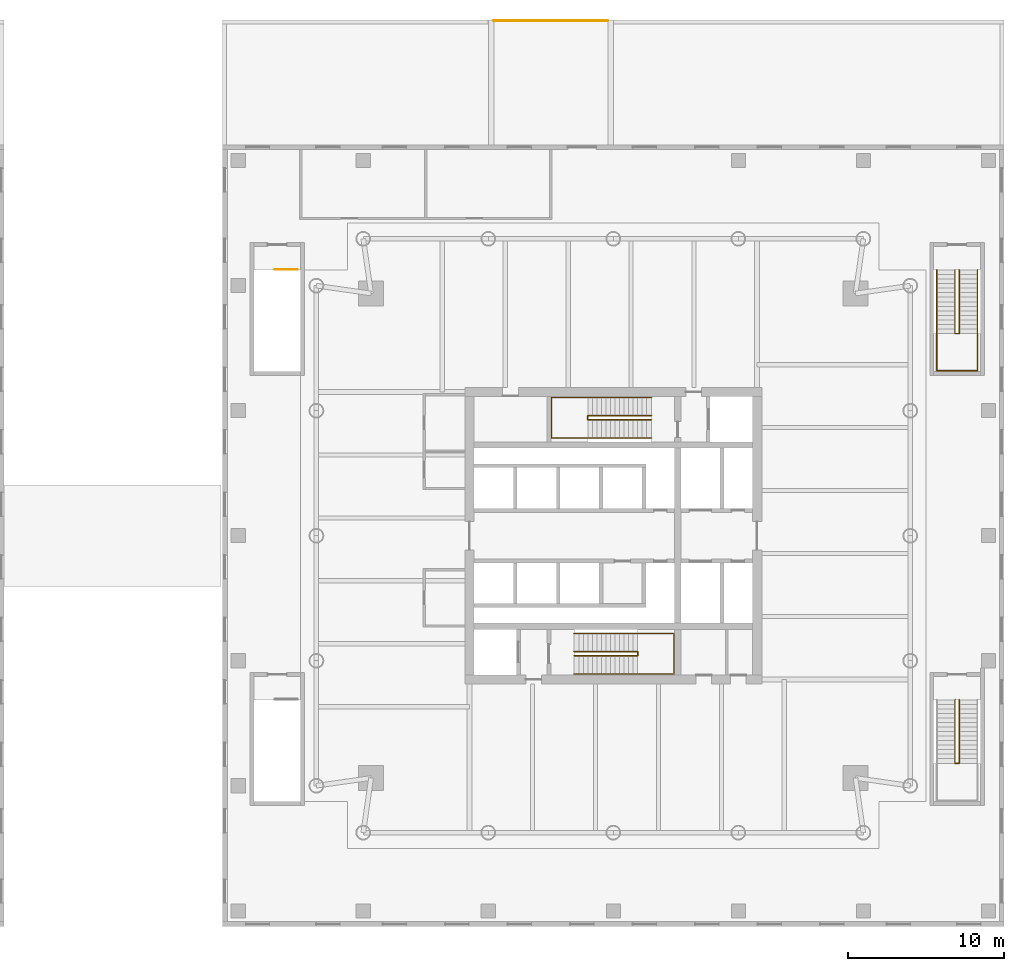
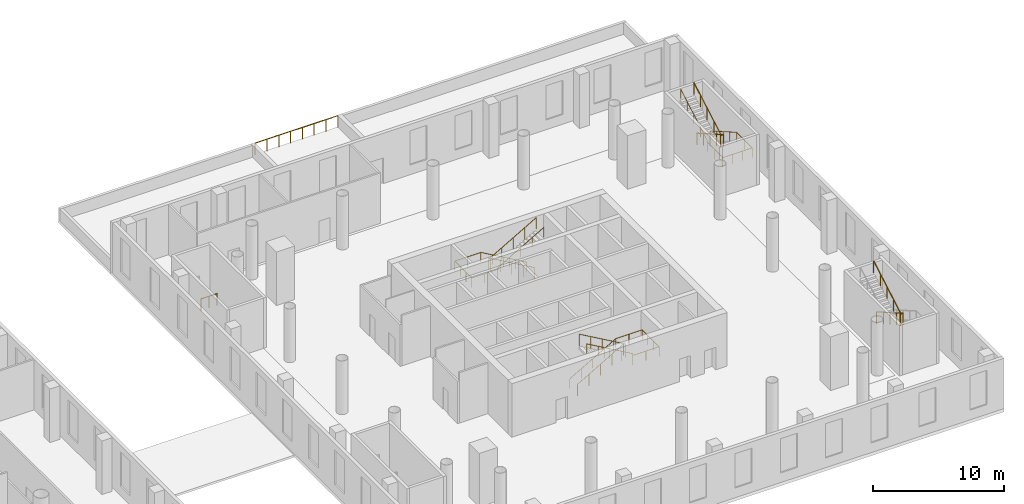
# One storey, part 16 of 16: 9 railings.
"""IFC4 building model written with IfcOpenShell, lengths in metres."""

from ifc_helpers import new_model, si_unit, direction, frame, origin, origin_2d, place, context, subcontext, project, spatial, circle, extrude, material, type_object, element, save


model = new_model("IFC4")

# Units and contexts
model_context = context("Model", 3, precision=1e-05, world=origin(), true_north=direction((0.0, 1.0)))
body_context = subcontext(model_context, "Body", "Model", "MODEL_VIEW")
ifc_project = project(units=[si_unit("LENGTHUNIT", "METRE"), si_unit("AREAUNIT", "SQUARE_METRE"), si_unit("VOLUMEUNIT", "CUBIC_METRE"), si_unit("PLANEANGLEUNIT", "RADIAN"), si_unit("MASSUNIT", "GRAM", prefix="KILO")], contexts=[model_context])

# Site, building, storey
site_placement = place(None, origin())
site = spatial("IfcSite", under=ifc_project, at=site_placement, CompositionType="ELEMENT")
building_placement = place(site_placement, origin())
building = spatial("IfcBuilding", under=site, at=building_placement, Name="Ostroluk Exchange", CompositionType="ELEMENT")
storey_placement = place(building_placement, frame((0.0, 0.0, 16.0)))
storey = spatial("IfcBuildingStorey", under=building, at=storey_placement, Name="L03", CompositionType="ELEMENT", Elevation=16.0)

# Railings
ifc_material_1 = material(Name="Stainless steel", Category="steel")
railing_type_1 = type_object("IfcRailingType", Name="Guard 1100 stainless steel", PredefinedType="GUARDRAIL", material=ifc_material_1)
railing_1_placement = place(storey_placement, frame((109.35205078125, 78.949951171875, 0.0)))
element("IfcRailing", 1, at=railing_1_placement, inside=storey, type_object=railing_type_1, Name="Terrace guard L03 1.1", PredefinedType="GUARDRAIL", context=body_context, shape_type="SweptSolid", body=[
    extrude(circle(Radius=0.02392578125, at=origin_2d()), frame((0.0, 0.0, 1.076171875), z_axis=(1.0, 0.0, 0.0), x_axis=(0.0, 1.0, 0.0)), (0.0, 0.0, 1.0), 7.2958984375),
    extrude(circle(Radius=0.02099609375, at=origin_2d()), origin(), (0.0, 0.0, 1.0), 1.052001953125),
    extrude(circle(Radius=0.02099609375, at=origin_2d()), frame((1.042236328125, 0.0, 0.0)), (0.0, 0.0, 1.0), 1.052001953125),
    extrude(circle(Radius=0.02099609375, at=origin_2d()), frame((2.08447265625, 0.0, 0.0)), (0.0, 0.0, 1.0), 1.052001953125),
    extrude(circle(Radius=0.02099609375, at=origin_2d()), frame((3.126708984375, 0.0, 0.0)), (0.0, 0.0, 1.0), 1.052001953125),
    extrude(circle(Radius=0.02099609375, at=origin_2d()), frame((4.169189453125, 0.0, 0.0)), (0.0, 0.0, 1.0), 1.052001953125),
    extrude(circle(Radius=0.02099609375, at=origin_2d()), frame((5.21142578125, 0.0, 0.0)), (0.0, 0.0, 1.0), 1.052001953125),
    extrude(circle(Radius=0.02099609375, at=origin_2d()), frame((6.253662109375, 0.0, 0.0)), (0.0, 0.0, 1.0), 1.052001953125),
    extrude(circle(Radius=0.02099609375, at=origin_2d()), frame((7.2958984375, 0.0, 0.0)), (0.0, 0.0, 1.0), 1.052001953125),
])
ifc_material_2 = material(Name="Steel S355", Category="steel")
railing_type_2 = type_object("IfcRailingType", Name="Stair guard 1100", PredefinedType="GUARDRAIL", material=ifc_material_2)
railing_2_placement = place(storey_placement, frame((114.5, 38.580078125, 0.166748046875)))
element("IfcRailing", 2, at=railing_2_placement, inside=storey, type_object=railing_type_2, Name="Stair T2-S1 guard L03", PredefinedType="GUARDRAIL", context=body_context, shape_type="SweptSolid", body=[
    extrude(circle(Radius=0.02392578125, at=origin_2d()), frame((0.0, 0.0, 1.076171875), z_axis=(0.867024558463, 0.0, 0.498265406207), x_axis=(0.0, 1.0, 0.0)), (0.0, 0.0, 1.0), 4.682861328125),
    extrude(circle(Radius=0.02392578125, at=origin_2d()), frame((4.06005859375, 0.0, 3.4091796875), z_axis=(0.0, -1.0, 0.0), x_axis=(1.0, 0.0, 0.0)), (0.0, 0.0, 1.0), 0.260009765625),
    extrude(circle(Radius=0.02392578125, at=origin_2d()), frame((4.06005859375, -0.260009765625, 3.4091796875), z_axis=(0.0, 0.0, 1.0), x_axis=(1.0, 0.0, 0.0)), (0.0, 0.0, 1.0), 0.166748046875),
    extrude(circle(Radius=0.02392578125, at=origin_2d()), frame((4.06005859375, -0.260009765625, 3.576171875), z_axis=(-0.867024558463, 0.0, 0.498265406207), x_axis=(0.0, -1.0, 0.0)), (0.0, 0.0, 1.0), 4.682861328125),
    extrude(circle(Radius=0.02099609375, at=origin_2d()), origin(), (0.0, 0.0, 1.0), 1.052001953125),
    extrude(circle(Radius=0.02099609375, at=origin_2d()), frame((1.01513671875, 0.0, 0.583251953125)), (0.0, 0.0, 1.0), 1.052001953125),
    extrude(circle(Radius=0.02099609375, at=origin_2d()), frame((2.030029296875, 0.0, 1.16650390625)), (0.0, 0.0, 1.0), 1.052001953125),
    extrude(circle(Radius=0.02099609375, at=origin_2d()), frame((3.044921875, 0.0, 1.75)), (0.0, 0.0, 1.0), 1.052001953125),
    extrude(circle(Radius=0.02099609375, at=origin_2d()), frame((4.06005859375, 0.0, 2.333251953125)), (0.0, 0.0, 1.0), 1.052001953125),
    extrude(circle(Radius=0.02099609375, at=origin_2d()), frame((4.06005859375, -0.260009765625, 2.333251953125)), (0.0, 0.0, 1.0), 1.052001953125),
    extrude(circle(Radius=0.02099609375, at=origin_2d()), frame((4.06005859375, -0.260009765625, 2.5)), (0.0, 0.0, 1.0), 1.052001953125),
    extrude(circle(Radius=0.02099609375, at=origin_2d()), frame((3.044921875, -0.260009765625, 3.083251953125)), (0.0, 0.0, 1.0), 1.052001953125),
    extrude(circle(Radius=0.02099609375, at=origin_2d()), frame((2.030029296875, -0.260009765625, 3.66650390625)), (0.0, 0.0, 1.0), 1.052001953125),
    extrude(circle(Radius=0.02099609375, at=origin_2d()), frame((1.01513671875, -0.260009765625, 4.25)), (0.0, 0.0, 1.0), 1.052001953125),
    extrude(circle(Radius=0.02099609375, at=origin_2d()), frame((0.0, -0.260009765625, 4.833251953125)), (0.0, 0.0, 1.0), 1.052001953125),
])
railing_3_placement = place(storey_placement, frame((119.429931640625, 53.679931640625, 0.166748046875)))
element("IfcRailing", 3, at=railing_3_placement, inside=storey, type_object=railing_type_2, Name="Stair T2-S2 guard L03", PredefinedType="GUARDRAIL", context=body_context, shape_type="SweptSolid", body=[
    extrude(circle(Radius=0.02392578125, at=origin_2d()), frame((0.0, 0.0, 1.076171875), z_axis=(-0.86701161382, 0.0, 0.498287930319), x_axis=(0.0, -1.0, 0.0)), (0.0, 0.0, 1.0), 4.6826171875),
    extrude(circle(Radius=0.02392578125, at=origin_2d()), frame((-4.059814453125, 0.0, 3.4091796875), z_axis=(0.0, -1.0, 0.0), x_axis=(1.0, 0.0, 0.0)), (0.0, 0.0, 1.0), 0.260009765625),
    extrude(circle(Radius=0.02392578125, at=origin_2d()), frame((-4.059814453125, -0.260009765625, 3.4091796875), z_axis=(0.0, 0.0, 1.0), x_axis=(1.0, 0.0, 0.0)), (0.0, 0.0, 1.0), 0.166748046875),
    extrude(circle(Radius=0.02392578125, at=origin_2d()), frame((-4.059814453125, -0.260009765625, 3.576171875), z_axis=(0.86701161382, 0.0, 0.498287930319), x_axis=(0.0, 1.0, 0.0)), (0.0, 0.0, 1.0), 4.6826171875),
    extrude(circle(Radius=0.02099609375, at=origin_2d()), origin(), (0.0, 0.0, 1.0), 1.052001953125),
    extrude(circle(Radius=0.02099609375, at=origin_2d()), frame((-1.014892578125, 0.0, 0.583251953125)), (0.0, 0.0, 1.0), 1.052001953125),
    extrude(circle(Radius=0.02099609375, at=origin_2d()), frame((-2.02978515625, 0.0, 1.16650390625)), (0.0, 0.0, 1.0), 1.052001953125),
    extrude(circle(Radius=0.02099609375, at=origin_2d()), frame((-3.044921875, 0.0, 1.75)), (0.0, 0.0, 1.0), 1.052001953125),
    extrude(circle(Radius=0.02099609375, at=origin_2d()), frame((-4.059814453125, 0.0, 2.333251953125)), (0.0, 0.0, 1.0), 1.052001953125),
    extrude(circle(Radius=0.02099609375, at=origin_2d()), frame((-4.059814453125, -0.260009765625, 2.333251953125)), (0.0, 0.0, 1.0), 1.052001953125),
    extrude(circle(Radius=0.02099609375, at=origin_2d()), frame((-4.059814453125, -0.260009765625, 2.5)), (0.0, 0.0, 1.0), 1.052001953125),
    extrude(circle(Radius=0.02099609375, at=origin_2d()), frame((-3.044921875, -0.260009765625, 3.083251953125)), (0.0, 0.0, 1.0), 1.052001953125),
    extrude(circle(Radius=0.02099609375, at=origin_2d()), frame((-2.02978515625, -0.260009765625, 3.66650390625)), (0.0, 0.0, 1.0), 1.052001953125),
    extrude(circle(Radius=0.02099609375, at=origin_2d()), frame((-1.014892578125, -0.260009765625, 4.25)), (0.0, 0.0, 1.0), 1.052001953125),
    extrude(circle(Radius=0.02099609375, at=origin_2d()), frame((0.0, -0.260009765625, 4.833251953125)), (0.0, 0.0, 1.0), 1.052001953125),
])
railing_4_placement = place(storey_placement, frame((96.800048828125, 63.030029296875, 0.0)))
element("IfcRailing", 4, at=railing_4_placement, inside=storey, type_object=railing_type_2, Name="Stair PS6 well guard L03", PredefinedType="GUARDRAIL", context=body_context, shape_type="SweptSolid", body=[
    extrude(circle(Radius=0.02392578125, at=origin_2d()), frame((0.0, 0.0, 1.076171875), z_axis=(-1.0, 0.0, 0.0), x_axis=(0.0, -1.0, 0.0)), (0.0, 0.0, 1.0), 1.429931640625),
    extrude(circle(Radius=0.02099609375, at=origin_2d()), origin(), (0.0, 0.0, 1.0), 1.052001953125),
    extrude(circle(Radius=0.02099609375, at=origin_2d()), frame((-0.71484375, 0.0, 0.0)), (0.0, 0.0, 1.0), 1.052001953125),
    extrude(circle(Radius=0.02099609375, at=origin_2d()), frame((-1.429931640625, 0.0, 0.0)), (0.0, 0.0, 1.0), 1.052001953125),
])
railing_5_placement = place(storey_placement, frame((139.1298828125, 35.5, 0.166748046875)))
element("IfcRailing", 5, at=railing_5_placement, inside=storey, type_object=railing_type_2, Name="Stair PS7 guard L03", PredefinedType="GUARDRAIL", context=body_context, shape_type="SweptSolid", body=[
    extrude(circle(Radius=0.02392578125, at=origin_2d()), frame((0.0, 0.0, 1.076171875), z_axis=(0.0, -0.867024558463, 0.498265406207), x_axis=(1.0, 0.0, 0.0)), (0.0, 0.0, 1.0), 4.682861328125),
    extrude(circle(Radius=0.02392578125, at=origin_2d()), frame((0.0, -4.06005859375, 3.4091796875), z_axis=(-1.0, 0.0, 0.0), x_axis=(0.0, -1.0, 0.0)), (0.0, 0.0, 1.0), 0.259765625),
    extrude(circle(Radius=0.02392578125, at=origin_2d()), frame((-0.259765625, -4.06005859375, 3.4091796875), z_axis=(0.0, 0.0, 1.0), x_axis=(1.0, 0.0, 0.0)), (0.0, 0.0, 1.0), 0.166748046875),
    extrude(circle(Radius=0.02392578125, at=origin_2d()), frame((-0.259765625, -4.06005859375, 3.576171875), z_axis=(0.0, 0.867024558463, 0.498265406207), x_axis=(-1.0, 0.0, 0.0)), (0.0, 0.0, 1.0), 4.682861328125),
    extrude(circle(Radius=0.02099609375, at=origin_2d()), origin(), (0.0, 0.0, 1.0), 1.052001953125),
    extrude(circle(Radius=0.02099609375, at=origin_2d()), frame((0.0, -1.01513671875, 0.583251953125)), (0.0, 0.0, 1.0), 1.052001953125),
    extrude(circle(Radius=0.02099609375, at=origin_2d()), frame((0.0, -2.030029296875, 1.16650390625)), (0.0, 0.0, 1.0), 1.052001953125),
    extrude(circle(Radius=0.02099609375, at=origin_2d()), frame((0.0, -3.044921875, 1.75)), (0.0, 0.0, 1.0), 1.052001953125),
    extrude(circle(Radius=0.02099609375, at=origin_2d()), frame((0.0, -4.06005859375, 2.333251953125)), (0.0, 0.0, 1.0), 1.052001953125),
    extrude(circle(Radius=0.02099609375, at=origin_2d()), frame((-0.259765625, -4.06005859375, 2.333251953125)), (0.0, 0.0, 1.0), 1.052001953125),
    extrude(circle(Radius=0.02099609375, at=origin_2d()), frame((-0.259765625, -4.06005859375, 2.5)), (0.0, 0.0, 1.0), 1.052001953125),
    extrude(circle(Radius=0.02099609375, at=origin_2d()), frame((-0.259765625, -3.044921875, 3.083251953125)), (0.0, 0.0, 1.0), 1.052001953125),
    extrude(circle(Radius=0.02099609375, at=origin_2d()), frame((-0.259765625, -2.030029296875, 3.66650390625)), (0.0, 0.0, 1.0), 1.052001953125),
    extrude(circle(Radius=0.02099609375, at=origin_2d()), frame((-0.259765625, -1.01513671875, 4.25)), (0.0, 0.0, 1.0), 1.052001953125),
    extrude(circle(Radius=0.02099609375, at=origin_2d()), frame((-0.259765625, 0.0, 4.833251953125)), (0.0, 0.0, 1.0), 1.052001953125),
])
railing_6_placement = place(storey_placement, frame((139.1298828125, 63.0, 0.166748046875)))
element("IfcRailing", 6, at=railing_6_placement, inside=storey, type_object=railing_type_2, Name="Stair PS8 guard L03", PredefinedType="GUARDRAIL", context=body_context, shape_type="SweptSolid", body=[
    extrude(circle(Radius=0.02392578125, at=origin_2d()), frame((0.0, 0.0, 1.076171875), z_axis=(0.0, -0.867024558463, 0.498265406207), x_axis=(1.0, 0.0, 0.0)), (0.0, 0.0, 1.0), 4.682861328125),
    extrude(circle(Radius=0.02392578125, at=origin_2d()), frame((0.0, -4.06005859375, 3.4091796875), z_axis=(-1.0, 0.0, 0.0), x_axis=(0.0, -1.0, 0.0)), (0.0, 0.0, 1.0), 0.259765625),
    extrude(circle(Radius=0.02392578125, at=origin_2d()), frame((-0.259765625, -4.06005859375, 3.4091796875), z_axis=(0.0, 0.0, 1.0), x_axis=(1.0, 0.0, 0.0)), (0.0, 0.0, 1.0), 0.166748046875),
    extrude(circle(Radius=0.02392578125, at=origin_2d()), frame((-0.259765625, -4.06005859375, 3.576171875), z_axis=(0.0, 0.867024558463, 0.498265406207), x_axis=(-1.0, 0.0, 0.0)), (0.0, 0.0, 1.0), 4.682861328125),
    extrude(circle(Radius=0.02099609375, at=origin_2d()), origin(), (0.0, 0.0, 1.0), 1.052001953125),
    extrude(circle(Radius=0.02099609375, at=origin_2d()), frame((0.0, -1.01513671875, 0.583251953125)), (0.0, 0.0, 1.0), 1.052001953125),
    extrude(circle(Radius=0.02099609375, at=origin_2d()), frame((0.0, -2.030029296875, 1.16650390625)), (0.0, 0.0, 1.0), 1.052001953125),
    extrude(circle(Radius=0.02099609375, at=origin_2d()), frame((0.0, -3.044921875, 1.75)), (0.0, 0.0, 1.0), 1.052001953125),
    extrude(circle(Radius=0.02099609375, at=origin_2d()), frame((0.0, -4.06005859375, 2.333251953125)), (0.0, 0.0, 1.0), 1.052001953125),
    extrude(circle(Radius=0.02099609375, at=origin_2d()), frame((-0.259765625, -4.06005859375, 2.333251953125)), (0.0, 0.0, 1.0), 1.052001953125),
    extrude(circle(Radius=0.02099609375, at=origin_2d()), frame((-0.259765625, -4.06005859375, 2.5)), (0.0, 0.0, 1.0), 1.052001953125),
    extrude(circle(Radius=0.02099609375, at=origin_2d()), frame((-0.259765625, -3.044921875, 3.083251953125)), (0.0, 0.0, 1.0), 1.052001953125),
    extrude(circle(Radius=0.02099609375, at=origin_2d()), frame((-0.259765625, -2.030029296875, 3.66650390625)), (0.0, 0.0, 1.0), 1.052001953125),
    extrude(circle(Radius=0.02099609375, at=origin_2d()), frame((-0.259765625, -1.01513671875, 4.25)), (0.0, 0.0, 1.0), 1.052001953125),
    extrude(circle(Radius=0.02099609375, at=origin_2d()), frame((-0.259765625, 0.0, 4.833251953125)), (0.0, 0.0, 1.0), 1.052001953125),
])
ifc_material_3 = material(Name="Stainless steel", Category="steel")
railing_type_3 = type_object("IfcRailingType", Name="Stair handrail 900", PredefinedType="HANDRAIL", material=ifc_material_3)
railing_7_placement = place(storey_placement, frame((114.5, 39.75, 0.166748046875)))
element("IfcRailing", 7, at=railing_7_placement, inside=storey, type_object=railing_type_3, Name="Stair T2-S1 handrail L03", PredefinedType="HANDRAIL", context=body_context, shape_type="SweptSolid", body=[
    extrude(circle(Radius=0.02392578125, at=origin_2d()), frame((0.0, 0.0, 0.8759765625), z_axis=(0.867024558463, 0.0, 0.498265406207), x_axis=(0.0, 1.0, 0.0)), (0.0, 0.0, 1.0), 4.682861328125),
    extrude(circle(Radius=0.02392578125, at=origin_2d()), frame((4.06005859375, 0.0, 3.208984375), z_axis=(1.0, 0.0, 0.0), x_axis=(0.0, 1.0, 0.0)), (0.0, 0.0, 1.0), 2.31982421875),
    extrude(circle(Radius=0.02392578125, at=origin_2d()), frame((6.3798828125, 0.0, 3.208984375), z_axis=(0.0, -1.0, 0.0), x_axis=(1.0, 0.0, 0.0)), (0.0, 0.0, 1.0), 2.60009765625),
    extrude(circle(Radius=0.02392578125, at=origin_2d()), frame((6.3798828125, -2.60009765625, 3.208984375), z_axis=(-1.0, 0.0, 0.0), x_axis=(0.0, -1.0, 0.0)), (0.0, 0.0, 1.0), 2.31982421875),
    extrude(circle(Radius=0.02392578125, at=origin_2d()), frame((4.06005859375, -2.60009765625, 3.208984375), z_axis=(0.0, 0.0, 1.0), x_axis=(1.0, 0.0, 0.0)), (0.0, 0.0, 1.0), 0.166748046875),
    extrude(circle(Radius=0.02392578125, at=origin_2d()), frame((4.06005859375, -2.60009765625, 3.3759765625), z_axis=(-0.867024558463, 0.0, 0.498265406207), x_axis=(0.0, -1.0, 0.0)), (0.0, 0.0, 1.0), 4.682861328125),
    extrude(circle(Radius=0.02099609375, at=origin_2d()), origin(), (0.0, 0.0, 1.0), 0.851806640625),
    extrude(circle(Radius=0.02099609375, at=origin_2d()), frame((1.01513671875, 0.0, 0.583251953125)), (0.0, 0.0, 1.0), 0.851806640625),
    extrude(circle(Radius=0.02099609375, at=origin_2d()), frame((2.030029296875, 0.0, 1.16650390625)), (0.0, 0.0, 1.0), 0.851806640625),
    extrude(circle(Radius=0.02099609375, at=origin_2d()), frame((3.044921875, 0.0, 1.75)), (0.0, 0.0, 1.0), 0.851806640625),
    extrude(circle(Radius=0.02099609375, at=origin_2d()), frame((4.06005859375, 0.0, 2.333251953125)), (0.0, 0.0, 1.0), 0.851806640625),
    extrude(circle(Radius=0.02099609375, at=origin_2d()), frame((5.219970703125, 0.0, 2.333251953125)), (0.0, 0.0, 1.0), 0.851806640625),
    extrude(circle(Radius=0.02099609375, at=origin_2d()), frame((6.3798828125, 0.0, 2.333251953125)), (0.0, 0.0, 1.0), 0.851806640625),
    extrude(circle(Radius=0.02099609375, at=origin_2d()), frame((6.3798828125, -0.86669921875, 2.333251953125)), (0.0, 0.0, 1.0), 0.851806640625),
    extrude(circle(Radius=0.02099609375, at=origin_2d()), frame((6.3798828125, -1.7333984375, 2.333251953125)), (0.0, 0.0, 1.0), 0.851806640625),
    extrude(circle(Radius=0.02099609375, at=origin_2d()), frame((6.3798828125, -2.60009765625, 2.333251953125)), (0.0, 0.0, 1.0), 0.851806640625),
    extrude(circle(Radius=0.02099609375, at=origin_2d()), frame((5.219970703125, -2.60009765625, 2.333251953125)), (0.0, 0.0, 1.0), 0.851806640625),
    extrude(circle(Radius=0.02099609375, at=origin_2d()), frame((4.06005859375, -2.60009765625, 2.333251953125)), (0.0, 0.0, 1.0), 0.851806640625),
    extrude(circle(Radius=0.02099609375, at=origin_2d()), frame((4.06005859375, -2.60009765625, 2.5)), (0.0, 0.0, 1.0), 0.851806640625),
    extrude(circle(Radius=0.02099609375, at=origin_2d()), frame((3.044921875, -2.60009765625, 3.083251953125)), (0.0, 0.0, 1.0), 0.851806640625),
    extrude(circle(Radius=0.02099609375, at=origin_2d()), frame((2.030029296875, -2.60009765625, 3.66650390625)), (0.0, 0.0, 1.0), 0.851806640625),
    extrude(circle(Radius=0.02099609375, at=origin_2d()), frame((1.01513671875, -2.60009765625, 4.25)), (0.0, 0.0, 1.0), 0.851806640625),
    extrude(circle(Radius=0.02099609375, at=origin_2d()), frame((0.0, -2.60009765625, 4.833251953125)), (0.0, 0.0, 1.0), 0.851806640625),
])
railing_8_placement = place(storey_placement, frame((119.429931640625, 54.85009765625, 0.166748046875)))
element("IfcRailing", 8, at=railing_8_placement, inside=storey, type_object=railing_type_3, Name="Stair T2-S2 handrail L03", PredefinedType="HANDRAIL", context=body_context, shape_type="SweptSolid", body=[
    extrude(circle(Radius=0.02392578125, at=origin_2d()), frame((0.0, 0.0, 0.8759765625), z_axis=(-0.86701161382, 0.0, 0.498287930319), x_axis=(0.0, -1.0, 0.0)), (0.0, 0.0, 1.0), 4.6826171875),
    extrude(circle(Radius=0.02392578125, at=origin_2d()), frame((-4.059814453125, 0.0, 3.208984375), z_axis=(-1.0, 0.0, 0.0), x_axis=(0.0, -1.0, 0.0)), (0.0, 0.0, 1.0), 2.320068359375),
    extrude(circle(Radius=0.02392578125, at=origin_2d()), frame((-6.3798828125, 0.0, 3.208984375), z_axis=(0.0, -1.0, 0.0), x_axis=(1.0, 0.0, 0.0)), (0.0, 0.0, 1.0), 2.60009765625),
    extrude(circle(Radius=0.02392578125, at=origin_2d()), frame((-6.3798828125, -2.60009765625, 3.208984375), z_axis=(1.0, 0.0, 0.0), x_axis=(0.0, 1.0, 0.0)), (0.0, 0.0, 1.0), 2.320068359375),
    extrude(circle(Radius=0.02392578125, at=origin_2d()), frame((-4.059814453125, -2.60009765625, 3.208984375), z_axis=(0.0, 0.0, 1.0), x_axis=(1.0, 0.0, 0.0)), (0.0, 0.0, 1.0), 0.166748046875),
    extrude(circle(Radius=0.02392578125, at=origin_2d()), frame((-4.059814453125, -2.60009765625, 3.3759765625), z_axis=(0.86701161382, 0.0, 0.498287930319), x_axis=(0.0, 1.0, 0.0)), (0.0, 0.0, 1.0), 4.6826171875),
    extrude(circle(Radius=0.02099609375, at=origin_2d()), origin(), (0.0, 0.0, 1.0), 0.851806640625),
    extrude(circle(Radius=0.02099609375, at=origin_2d()), frame((-1.014892578125, 0.0, 0.583251953125)), (0.0, 0.0, 1.0), 0.851806640625),
    extrude(circle(Radius=0.02099609375, at=origin_2d()), frame((-2.02978515625, 0.0, 1.16650390625)), (0.0, 0.0, 1.0), 0.851806640625),
    extrude(circle(Radius=0.02099609375, at=origin_2d()), frame((-3.044921875, 0.0, 1.75)), (0.0, 0.0, 1.0), 0.851806640625),
    extrude(circle(Radius=0.02099609375, at=origin_2d()), frame((-4.059814453125, 0.0, 2.333251953125)), (0.0, 0.0, 1.0), 0.851806640625),
    extrude(circle(Radius=0.02099609375, at=origin_2d()), frame((-5.2197265625, 0.0, 2.333251953125)), (0.0, 0.0, 1.0), 0.851806640625),
    extrude(circle(Radius=0.02099609375, at=origin_2d()), frame((-6.3798828125, 0.0, 2.333251953125)), (0.0, 0.0, 1.0), 0.851806640625),
    extrude(circle(Radius=0.02099609375, at=origin_2d()), frame((-6.3798828125, -0.86669921875, 2.333251953125)), (0.0, 0.0, 1.0), 0.851806640625),
    extrude(circle(Radius=0.02099609375, at=origin_2d()), frame((-6.3798828125, -1.7333984375, 2.333251953125)), (0.0, 0.0, 1.0), 0.851806640625),
    extrude(circle(Radius=0.02099609375, at=origin_2d()), frame((-6.3798828125, -2.60009765625, 2.333251953125)), (0.0, 0.0, 1.0), 0.851806640625),
    extrude(circle(Radius=0.02099609375, at=origin_2d()), frame((-5.2197265625, -2.60009765625, 2.333251953125)), (0.0, 0.0, 1.0), 0.851806640625),
    extrude(circle(Radius=0.02099609375, at=origin_2d()), frame((-4.059814453125, -2.60009765625, 2.333251953125)), (0.0, 0.0, 1.0), 0.851806640625),
    extrude(circle(Radius=0.02099609375, at=origin_2d()), frame((-4.059814453125, -2.60009765625, 2.5)), (0.0, 0.0, 1.0), 0.851806640625),
    extrude(circle(Radius=0.02099609375, at=origin_2d()), frame((-3.044921875, -2.60009765625, 3.083251953125)), (0.0, 0.0, 1.0), 0.851806640625),
    extrude(circle(Radius=0.02099609375, at=origin_2d()), frame((-2.02978515625, -2.60009765625, 3.66650390625)), (0.0, 0.0, 1.0), 0.851806640625),
    extrude(circle(Radius=0.02099609375, at=origin_2d()), frame((-1.014892578125, -2.60009765625, 4.25)), (0.0, 0.0, 1.0), 0.851806640625),
    extrude(circle(Radius=0.02099609375, at=origin_2d()), frame((0.0, -2.60009765625, 4.833251953125)), (0.0, 0.0, 1.0), 0.851806640625),
])
railing_9_placement = place(storey_placement, frame((140.300048828125, 63.0, 0.166748046875)))
element("IfcRailing", 9, at=railing_9_placement, inside=storey, type_object=railing_type_3, Name="Stair PS8 handrail L03", PredefinedType="HANDRAIL", context=body_context, shape_type="SweptSolid", body=[
    extrude(circle(Radius=0.02392578125, at=origin_2d()), frame((0.0, 0.0, 0.8759765625), z_axis=(0.0, -0.867024558463, 0.498265406207), x_axis=(1.0, 0.0, 0.0)), (0.0, 0.0, 1.0), 4.682861328125),
    extrude(circle(Radius=0.02392578125, at=origin_2d()), frame((0.0, -4.06005859375, 3.208984375), z_axis=(0.0, -1.0, 0.0), x_axis=(1.0, 0.0, 0.0)), (0.0, 0.0, 1.0), 2.389892578125),
    extrude(circle(Radius=0.02392578125, at=origin_2d()), frame((0.0, -6.449951171875, 3.208984375), z_axis=(-1.0, 0.0, 0.0), x_axis=(0.0, -1.0, 0.0)), (0.0, 0.0, 1.0), 2.60009765625),
    extrude(circle(Radius=0.02392578125, at=origin_2d()), frame((-2.60009765625, -6.449951171875, 3.208984375), z_axis=(0.0, 1.0, 0.0), x_axis=(-1.0, 0.0, 0.0)), (0.0, 0.0, 1.0), 2.389892578125),
    extrude(circle(Radius=0.02392578125, at=origin_2d()), frame((-2.60009765625, -4.06005859375, 3.208984375), z_axis=(0.0, 0.0, 1.0), x_axis=(1.0, 0.0, 0.0)), (0.0, 0.0, 1.0), 0.166748046875),
    extrude(circle(Radius=0.02392578125, at=origin_2d()), frame((-2.60009765625, -4.06005859375, 3.3759765625), z_axis=(0.0, 0.867024558463, 0.498265406207), x_axis=(-1.0, 0.0, 0.0)), (0.0, 0.0, 1.0), 4.682861328125),
    extrude(circle(Radius=0.02099609375, at=origin_2d()), origin(), (0.0, 0.0, 1.0), 0.851806640625),
    extrude(circle(Radius=0.02099609375, at=origin_2d()), frame((0.0, -1.01513671875, 0.583251953125)), (0.0, 0.0, 1.0), 0.851806640625),
    extrude(circle(Radius=0.02099609375, at=origin_2d()), frame((0.0, -2.030029296875, 1.16650390625)), (0.0, 0.0, 1.0), 0.851806640625),
    extrude(circle(Radius=0.02099609375, at=origin_2d()), frame((0.0, -3.044921875, 1.75)), (0.0, 0.0, 1.0), 0.851806640625),
    extrude(circle(Radius=0.02099609375, at=origin_2d()), frame((0.0, -4.06005859375, 2.333251953125)), (0.0, 0.0, 1.0), 0.851806640625),
    extrude(circle(Radius=0.02099609375, at=origin_2d()), frame((0.0, -5.2548828125, 2.333251953125)), (0.0, 0.0, 1.0), 0.851806640625),
    extrude(circle(Radius=0.02099609375, at=origin_2d()), frame((0.0, -6.449951171875, 2.333251953125)), (0.0, 0.0, 1.0), 0.851806640625),
    extrude(circle(Radius=0.02099609375, at=origin_2d()), frame((-0.86669921875, -6.449951171875, 2.333251953125)), (0.0, 0.0, 1.0), 0.851806640625),
    extrude(circle(Radius=0.02099609375, at=origin_2d()), frame((-1.7333984375, -6.449951171875, 2.333251953125)), (0.0, 0.0, 1.0), 0.851806640625),
    extrude(circle(Radius=0.02099609375, at=origin_2d()), frame((-2.60009765625, -6.449951171875, 2.333251953125)), (0.0, 0.0, 1.0), 0.851806640625),
    extrude(circle(Radius=0.02099609375, at=origin_2d()), frame((-2.60009765625, -5.2548828125, 2.333251953125)), (0.0, 0.0, 1.0), 0.851806640625),
    extrude(circle(Radius=0.02099609375, at=origin_2d()), frame((-2.60009765625, -4.06005859375, 2.333251953125)), (0.0, 0.0, 1.0), 0.851806640625),
    extrude(circle(Radius=0.02099609375, at=origin_2d()), frame((-2.60009765625, -4.06005859375, 2.5)), (0.0, 0.0, 1.0), 0.851806640625),
    extrude(circle(Radius=0.02099609375, at=origin_2d()), frame((-2.60009765625, -3.044921875, 3.083251953125)), (0.0, 0.0, 1.0), 0.851806640625),
    extrude(circle(Radius=0.02099609375, at=origin_2d()), frame((-2.60009765625, -2.030029296875, 3.66650390625)), (0.0, 0.0, 1.0), 0.851806640625),
    extrude(circle(Radius=0.02099609375, at=origin_2d()), frame((-2.60009765625, -1.01513671875, 4.25)), (0.0, 0.0, 1.0), 0.851806640625),
    extrude(circle(Radius=0.02099609375, at=origin_2d()), frame((-2.60009765625, 0.0, 4.833251953125)), (0.0, 0.0, 1.0), 0.851806640625),
])

save(model, "model.ifc")
